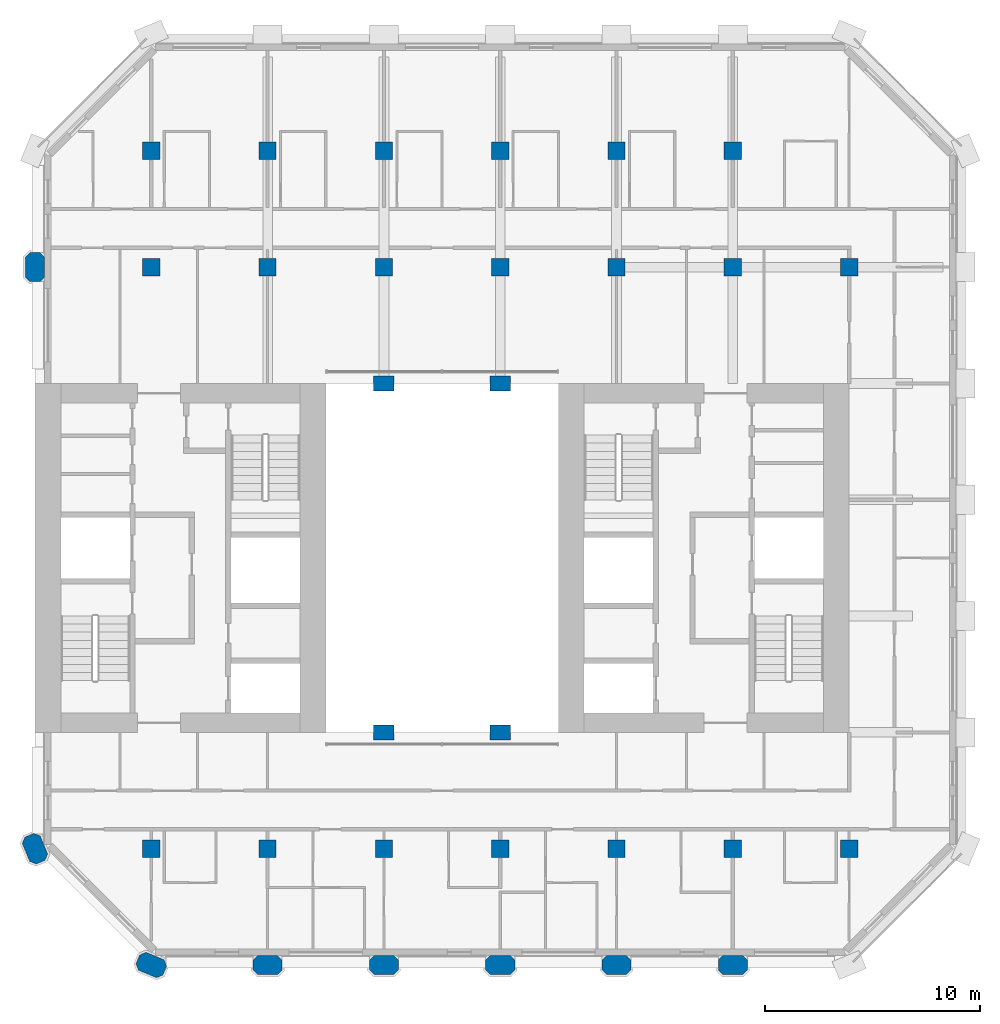
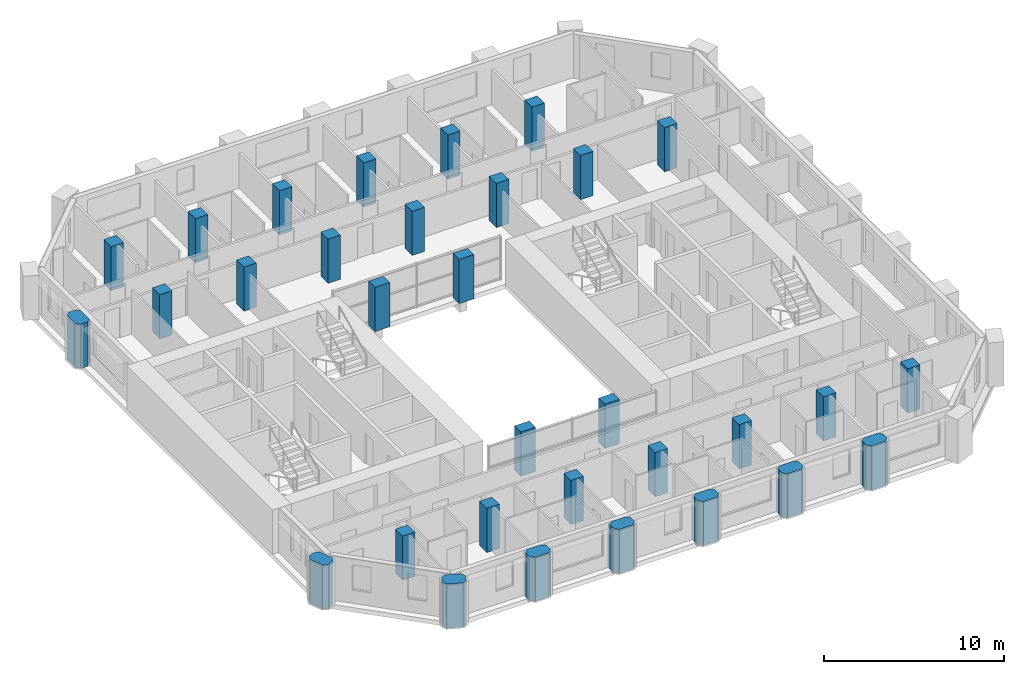
# One storey, part 1 of 12: 32 columns.
"""IFC4 building model written with IfcOpenShell, lengths in metres."""

import ifcopenshell
import ifcopenshell.guid

model = None  # the IFC model being written
_history = None  # IfcOwnerHistory: only IFC2X3 demands one
_inside = {}  # id of a spatial element -> (the spatial element, [elements in it])
_under = {}  # id of a project, library or spatial element -> (it, [spatial elements below it])
_declared = {}  # id of a project -> (the project, [libraries it declares])
_typed = {}  # id of a type object -> (the type object, [elements of that type])
_made_of = {}  # id of a material, layer set ... -> (it, [elements and type objects made of it])


def new_model(schema):
    """Start an empty IFC model of exactly this schema.

    Asked for "IFC4X3", IfcOpenShell would pick the latest addendum, in which some entities
    have other attributes; the version numbers below select the first issue.
    IFC2X3 requires an IfcOwnerHistory on every rooted entity: one is made here for all.
    """
    global model, _history
    if schema == "IFC4X3":
        model = ifcopenshell.file(schema_version=(4, 3, 0, 0))
    else:
        model = ifcopenshell.file(schema=schema)
    _inside.clear()
    _under.clear()
    _declared.clear()
    _typed.clear()
    _made_of.clear()
    _history = None
    if model.schema == "IFC2X3":
        org = make("IfcOrganization", Name="unknown")
        user = make(
            "IfcPersonAndOrganization",
            ThePerson=make("IfcPerson", FamilyName="unknown"),
            TheOrganization=org,
        )
        app = make(
            "IfcApplication",
            ApplicationDeveloper=org,
            Version="unknown",
            ApplicationFullName="unknown",
            ApplicationIdentifier="unknown",
        )
        _history = make(
            "IfcOwnerHistory",
            OwningUser=user,
            OwningApplication=app,
            ChangeAction="ADDED",
            CreationDate=0,
        )
    return model


def make(cls, **values):
    """One entity of the class cls with the attributes given. An attribute that is None is left unset."""
    return model.create_entity(
        cls, **{name: value for name, value in values.items() if value is not None}
    )


def rooted(cls, **values):
    """An entity with a GlobalId (a new one), such as an element, a storey or a relation."""
    return make(cls, GlobalId=ifcopenshell.guid.new(), OwnerHistory=_history, **values)


def si_unit(unit_type, name, prefix=None):
    """IfcSIUnit, for example si_unit("LENGTHUNIT", "METRE", prefix="MILLI")."""
    return make("IfcSIUnit", UnitType=unit_type, Prefix=prefix, Name=name)


def assignment(units):
    """IfcUnitAssignment: the units of a project."""
    return None if units is None else make("IfcUnitAssignment", Units=units)


def point(xyz):
    """IfcCartesianPoint."""
    return None if xyz is None else make("IfcCartesianPoint", Coordinates=xyz)


def direction(xyz):
    """IfcDirection."""
    return None if xyz is None else make("IfcDirection", DirectionRatios=xyz)


def frame(location, z_axis=None, x_axis=None):
    """IfcAxis2Placement3D, a coordinate frame: its origin and axes. An axis left out is left unset."""
    return make(
        "IfcAxis2Placement3D",
        Location=point(location),
        Axis=direction(z_axis),
        RefDirection=direction(x_axis),
    )


def frame_2d(location, x_axis=None):
    """IfcAxis2Placement2D, a coordinate frame in the plane: its origin and x axis."""
    return make(
        "IfcAxis2Placement2D", Location=point(location), RefDirection=direction(x_axis)
    )


def origin():
    """The frame at (0, 0, 0) with its axes left unset."""
    return frame((0.0, 0.0, 0.0))


def origin_2d():
    """The frame at (0, 0) in the plane with its x axis left unset."""
    return frame_2d((0.0, 0.0))


def place(relative_to, where):
    """IfcLocalPlacement: puts the frame where relative to a parent placement (None: the world)."""
    return make(
        "IfcLocalPlacement", PlacementRelTo=relative_to, RelativePlacement=where
    )


def context(
    kind, dimensions, precision=None, world=None, true_north=None, identifier=None
):
    """IfcGeometricRepresentationContext, for example the 3D "Model" context."""
    return make(
        "IfcGeometricRepresentationContext",
        ContextIdentifier=identifier,
        ContextType=kind,
        CoordinateSpaceDimension=dimensions,
        Precision=precision,
        WorldCoordinateSystem=world,
        TrueNorth=true_north,
    )


def subcontext(parent, identifier, kind, view, scale=None):
    """IfcGeometricRepresentationSubContext, for example "Body" below "Model"."""
    return make(
        "IfcGeometricRepresentationSubContext",
        ContextIdentifier=identifier,
        ContextType=kind,
        ParentContext=parent,
        TargetScale=scale,
        TargetView=view,
    )


def project(units=None, contexts=None):
    """IfcProject with its units and contexts."""
    return rooted(
        "IfcProject",
        Name="project",
        RepresentationContexts=contexts,
        UnitsInContext=assignment(units),
    )


def spatial(cls, under=None, at=None, **own):
    """A site, building, storey or space (cls), placed at a placement, below another one or the project."""
    s = rooted(cls, ObjectPlacement=at, **own)
    if under is not None:
        _under.setdefault(under.id(), (under, []))[1].append(s)
    return s


def polyline(points):
    """IfcPolyline through the points."""
    return make("IfcPolyline", Points=[point(p) for p in points])


def profile(cls, at=None, kind="AREA", **sizes):
    """A parametric profile (cls). Its sizes go by their IFC names, for example OverallWidth=200.0."""
    return make(cls, ProfileType=kind, Position=at, **sizes)


def rectangle(**sizes):
    """IfcRectangleProfileDef."""
    return profile("IfcRectangleProfileDef", **sizes)


def outline(outer, holes=None, kind="AREA"):
    """IfcArbitraryClosedProfileDef: a profile drawn as a closed curve; with holes, ...WithVoids."""
    if holes is None:
        return make("IfcArbitraryClosedProfileDef", ProfileType=kind, OuterCurve=outer)
    return make(
        "IfcArbitraryProfileDefWithVoids",
        ProfileType=kind,
        OuterCurve=outer,
        InnerCurves=holes,
    )


def extrude(swept, where, along, depth):
    """IfcExtrudedAreaSolid: the profile swept, set in the frame where, extruded along a direction by depth."""
    return make(
        "IfcExtrudedAreaSolid",
        SweptArea=swept,
        Position=where,
        ExtrudedDirection=direction(along),
        Depth=depth,
    )


def shape(context_of_items, identifier, shape_type, items):
    """IfcShapeRepresentation: the items that make up one representation, for example the "Body"."""
    return make(
        "IfcShapeRepresentation",
        ContextOfItems=context_of_items,
        RepresentationIdentifier=identifier,
        RepresentationType=shape_type,
        Items=items,
    )


def material(Name=None, Category=None):
    """IfcMaterial."""
    return make("IfcMaterial", Name=Name, Category=Category)


def material_profile(
    of_material, cross_section, Name=None, Category=None, Priority=None
):
    """IfcMaterialProfile: a cross section and its material."""
    return make(
        "IfcMaterialProfile",
        Name=Name,
        Material=of_material,
        Profile=cross_section,
        Priority=Priority,
        Category=Category,
    )


def profile_set(profiles, Name=None, composite=None):
    """IfcMaterialProfileSet."""
    return make(
        "IfcMaterialProfileSet",
        Name=Name,
        MaterialProfiles=profiles,
        CompositeProfile=composite,
    )


def made_of(thing, what):
    """Note that an element or type object is made of a material, layer set ...; save() writes the relation."""
    if what is not None:
        _made_of.setdefault(what.id(), (what, []))[1].append(thing)
    return thing


def type_object(cls, material=None, **own):
    """A type object (cls), such as IfcWallType, which elements share."""
    return made_of(rooted(cls, **own), material)


def element(
    cls,
    number,
    at=None,
    inside=None,
    cuts=None,
    type_object=None,
    material=None,
    context=None,
    identifier="Body",
    shape_type=None,
    held_by="IfcProductDefinitionShape",
    body=None,
    shapes=None,
    **own,
):
    """One element of the class cls, such as IfcWall. Its Tag is "e" and its number.

    at: its placement. inside: the storey or other place that contains it. cuts: it is an
    opening in that element (IfcRelVoidsElement). A single representation is given by context,
    identifier, shape_type and body (its items); several are given by shapes. held_by: the class
    of the entity that holds the representations. save() writes the other relations.
    """
    e = rooted(cls, Tag="e%d" % number, ObjectPlacement=at, **own)
    if body is not None:
        shapes = [shape(context, identifier, shape_type, body)]
    if shapes is not None:
        e.Representation = make(held_by, Representations=shapes)
    if inside is not None:
        _inside.setdefault(inside.id(), (inside, []))[1].append(e)
    if cuts is not None:
        rooted(
            "IfcRelVoidsElement", RelatingBuildingElement=cuts, RelatedOpeningElement=e
        )
    if type_object is not None:
        _typed.setdefault(type_object.id(), (type_object, []))[1].append(e)
    return made_of(e, material)


def aggregate(whole, parts):
    """IfcRelAggregates: a whole, such as a stair, and the parts it consists of."""
    return rooted("IfcRelAggregates", RelatingObject=whole, RelatedObjects=parts)


def save(model, path):
    """Write the relations noted so far, then the file.

    IfcRelAggregates (storeys below a building ...), IfcRelContainedInSpatialStructure (elements
    in a storey), IfcRelDefinesByType, IfcRelAssociatesMaterial and IfcRelDeclares: one each for
    every whole, place, type object, material and project.
    """
    for whole, parts in _under.values():
        aggregate(whole, parts)
    for where, things in _inside.values():
        rooted(
            "IfcRelContainedInSpatialStructure",
            RelatedElements=things,
            RelatingStructure=where,
        )
    for kind, things in _typed.values():
        rooted("IfcRelDefinesByType", RelatedObjects=things, RelatingType=kind)
    for what, things in _made_of.values():
        rooted("IfcRelAssociatesMaterial", RelatedObjects=things, RelatingMaterial=what)
    for by, libraries in _declared.values():
        rooted("IfcRelDeclares", RelatingContext=by, RelatedDefinitions=libraries)
    model.write(path)


model = new_model("IFC4")

# Units and contexts
model_context = context("Model", 3, precision=1e-05, world=origin(), true_north=direction((0.0, 1.0)))
body_context = subcontext(model_context, "Body", "Model", "MODEL_VIEW")
ifc_project = project(units=[si_unit("LENGTHUNIT", "METRE"), si_unit("AREAUNIT", "SQUARE_METRE"), si_unit("VOLUMEUNIT", "CUBIC_METRE"), si_unit("PLANEANGLEUNIT", "RADIAN"), si_unit("MASSUNIT", "GRAM", prefix="KILO")], contexts=[model_context])

# Site, building, storey
site_placement = place(None, origin())
site = spatial("IfcSite", under=ifc_project, at=site_placement, CompositionType="ELEMENT")
building_placement = place(site_placement, origin())
building = spatial("IfcBuilding", under=site, at=building_placement, Name="Tabaq Tower and Sports Hall", CompositionType="ELEMENT")
storey_placement = place(building_placement, frame((0.0, 0.0, 184.0)))
storey = spatial("IfcBuildingStorey", under=building, at=storey_placement, Name="L44", CompositionType="ELEMENT", Elevation=184.0)

# Columns
ifc_material_1 = material(Name="Concrete C50/60", Category="concrete")
ifc_material_profile_1 = material_profile(ifc_material_1, rectangle(XDim=0.949951171875, YDim=0.699951171875, at=origin_2d()), Name="ATRIUM COLUMN 950x700")
ifc_profile_set_1 = profile_set([ifc_material_profile_1], Name="Concrete C50/60")
column_type_1 = type_object("IfcColumnType", Name="RC COLUMN ATRIUM COLUMN 950x700 C50/60", PredefinedType="COLUMN", material=ifc_profile_set_1)
for number, where, z_axis, x_axis, name in (
    (1, (21.60009765625, 16.199951171875, 0.0), (0.0, 0.0, 1.0), (1.0, 0.0, 0.0), "Atrium Column 5/D L44"),
    (2, (27.0, 16.199951171875, 0.0), (0.0, 0.0, 1.0), (1.0, 0.0, 0.0), "Atrium Column 6/D L44"),
    (3, (21.60009765625, 32.39990234375, 0.0), (0.0, 0.0, 1.0), (1.0, 0.0, 0.0), "Atrium Column 5/G L44"),
    (4, (27.0, 32.39990234375, 0.0), (0.0, 0.0, 1.0), (1.0, 0.0, 0.0), "Atrium Column 6/G L44"),
):
    element("IfcColumn", number, at=place(storey_placement, frame(where, z_axis=z_axis, x_axis=x_axis)), inside=storey, type_object=column_type_1, Name=name, PredefinedType="COLUMN", context=body_context, shape_type="SweptSolid", body=[
        extrude(rectangle(XDim=0.949951171875, YDim=0.699951171875, at=origin_2d()), origin(), (0.0, 0.0, 1.0), 3.0),
    ])
ifc_material_2 = material(Name="Concrete C50/60", Category="concrete")
ifc_material_profile_2 = material_profile(ifc_material_2, rectangle(XDim=0.800048828125, YDim=0.800048828125, at=origin_2d()), Name="COLUMN 800x800")
ifc_profile_set_2 = profile_set([ifc_material_profile_2], Name="Concrete C50/60")
column_type_2 = type_object("IfcColumnType", Name="RC COLUMN COLUMN 800x800 C50/60", PredefinedType="COLUMN", material=ifc_profile_set_2)
for number, where, z_axis, x_axis, name in (
    (5, (10.800048828125, 10.800048828125, 0.0), (0.0, 0.0, 1.0), (1.0, 0.0, 0.0), "Column 3/C L44"),
    (6, (16.199951171875, 10.800048828125, 0.0), (0.0, 0.0, 1.0), (1.0, 0.0, 0.0), "Column 4/C L44"),
    (7, (21.60009765625, 10.800048828125, 0.0), (0.0, 0.0, 1.0), (1.0, 0.0, 0.0), "Column 5/C L44"),
    (8, (27.0, 10.800048828125, 0.0), (0.0, 0.0, 1.0), (1.0, 0.0, 0.0), "Column 6/C L44"),
    (9, (32.39990234375, 10.800048828125, 0.0), (0.0, 0.0, 1.0), (1.0, 0.0, 0.0), "Column 7/C L44"),
    (10, (37.800048828125, 10.800048828125, 0.0), (0.0, 0.0, 1.0), (1.0, 0.0, 0.0), "Column 8/C L44"),
    (11, (43.199951171875, 10.800048828125, 0.0), (0.0, 0.0, 1.0), (1.0, 0.0, 0.0), "Column 9/C L44"),
    (12, (10.800048828125, 37.800048828125, 0.0), (0.0, 0.0, 1.0), (1.0, 0.0, 0.0), "Column 3/H L44"),
    (13, (16.199951171875, 37.800048828125, 0.0), (0.0, 0.0, 1.0), (1.0, 0.0, 0.0), "Column 4/H L44"),
    (14, (21.60009765625, 37.800048828125, 0.0), (0.0, 0.0, 1.0), (1.0, 0.0, 0.0), "Column 5/H L44"),
    (15, (27.0, 37.800048828125, 0.0), (0.0, 0.0, 1.0), (1.0, 0.0, 0.0), "Column 6/H L44"),
    (16, (32.39990234375, 37.800048828125, 0.0), (0.0, 0.0, 1.0), (1.0, 0.0, 0.0), "Column 7/H L44"),
    (17, (37.800048828125, 37.800048828125, 0.0), (0.0, 0.0, 1.0), (1.0, 0.0, 0.0), "Column 8/H L44"),
    (18, (43.199951171875, 37.800048828125, 0.0), (0.0, 0.0, 1.0), (1.0, 0.0, 0.0), "Column 9/H L44"),
    (19, (10.800048828125, 43.199951171875, 0.0), (0.0, 0.0, 1.0), (1.0, 0.0, 0.0), "Column 3/I L44"),
    (20, (16.199951171875, 43.199951171875, 0.0), (0.0, 0.0, 1.0), (1.0, 0.0, 0.0), "Column 4/I L44"),
    (21, (21.60009765625, 43.199951171875, 0.0), (0.0, 0.0, 1.0), (1.0, 0.0, 0.0), "Column 5/I L44"),
    (22, (27.0, 43.199951171875, 0.0), (0.0, 0.0, 1.0), (1.0, 0.0, 0.0), "Column 6/I L44"),
    (23, (32.39990234375, 43.199951171875, 0.0), (0.0, 0.0, 1.0), (1.0, 0.0, 0.0), "Column 7/I L44"),
    (24, (37.800048828125, 43.199951171875, 0.0), (0.0, 0.0, 1.0), (1.0, 0.0, 0.0), "Column 8/I L44"),
):
    element("IfcColumn", number, at=place(storey_placement, frame(where, z_axis=z_axis, x_axis=x_axis)), inside=storey, type_object=column_type_2, Name=name, PredefinedType="COLUMN", context=body_context, shape_type="SweptSolid", body=[
        extrude(rectangle(XDim=0.800048828125, YDim=0.800048828125, at=origin_2d()), origin(), (0.0, 0.0, 1.0), 3.0),
    ])
ifc_material_3 = material(Name="Concrete C50/60", Category="concrete")
ifc_material_profile_3 = material_profile(ifc_material_3, outline(polyline([(-0.449951171875, -0.449951171875), (0.449951171875, -0.449951171875), (0.675048828125, -0.22509765625), (0.675048828125, 0.22509765625), (0.449951171875, 0.449951171875), (-0.449951171875, 0.449951171875), (-0.675048828125, 0.22509765625), (-0.675048828125, -0.22509765625), (-0.449951171875, -0.449951171875)])), Name="PIER 1350x900")
ifc_profile_set_3 = profile_set([ifc_material_profile_3], Name="Concrete C50/60")
column_type_3 = type_object("IfcColumnType", Name="RC COLUMN PIER 1350x900 C50/60", PredefinedType="COLUMN", material=ifc_profile_set_3)
for number, where, z_axis, x_axis, name in (
    (25, (10.800048828125, 5.39990234375, 0.0), (0.0, 0.0, 1.0), (-0.923879532511, 0.382683432365, 0.0), "Pier 3/B L44"),
    (26, (16.199951171875, 5.39990234375, 0.0), (0.0, 0.0, 1.0), (1.0, 0.0, 0.0), "Pier 4/B L44"),
    (27, (21.60009765625, 5.39990234375, 0.0), (0.0, 0.0, 1.0), (1.0, 0.0, 0.0), "Pier 5/B L44"),
    (28, (27.0, 5.39990234375, 0.0), (0.0, 0.0, 1.0), (1.0, 0.0, 0.0), "Pier 6/B L44"),
    (29, (32.39990234375, 5.39990234375, 0.0), (0.0, 0.0, 1.0), (1.0, 0.0, 0.0), "Pier 7/B L44"),
    (30, (37.800048828125, 5.39990234375, 0.0), (0.0, 0.0, 1.0), (1.0, 0.0, 0.0), "Pier 8/B L44"),
    (31, (5.39990234375, 10.800048828125, 0.0), (0.0, 0.0, 1.0), (-0.382683432365, 0.923879532511, 0.0), "Pier 2/C L44"),
    (32, (5.39990234375, 37.800048828125, 0.0), (0.0, 0.0, 1.0), (0.0, 1.0, 0.0), "Pier 2/H L44"),
):
    element("IfcColumn", number, at=place(storey_placement, frame(where, z_axis=z_axis, x_axis=x_axis)), inside=storey, type_object=column_type_3, Name=name, PredefinedType="COLUMN", context=body_context, shape_type="SweptSolid", body=[
        extrude(outline(polyline([(-0.449951171875, -0.449951171875), (0.449951171875, -0.449951171875), (0.675048828125, -0.22509765625), (0.675048828125, 0.22509765625), (0.449951171875, 0.449951171875), (-0.449951171875, 0.449951171875), (-0.675048828125, 0.22509765625), (-0.675048828125, -0.22509765625), (-0.449951171875, -0.449951171875)])), origin(), (0.0, 0.0, 1.0), 3.0),
    ])

save(model, "model.ifc")
